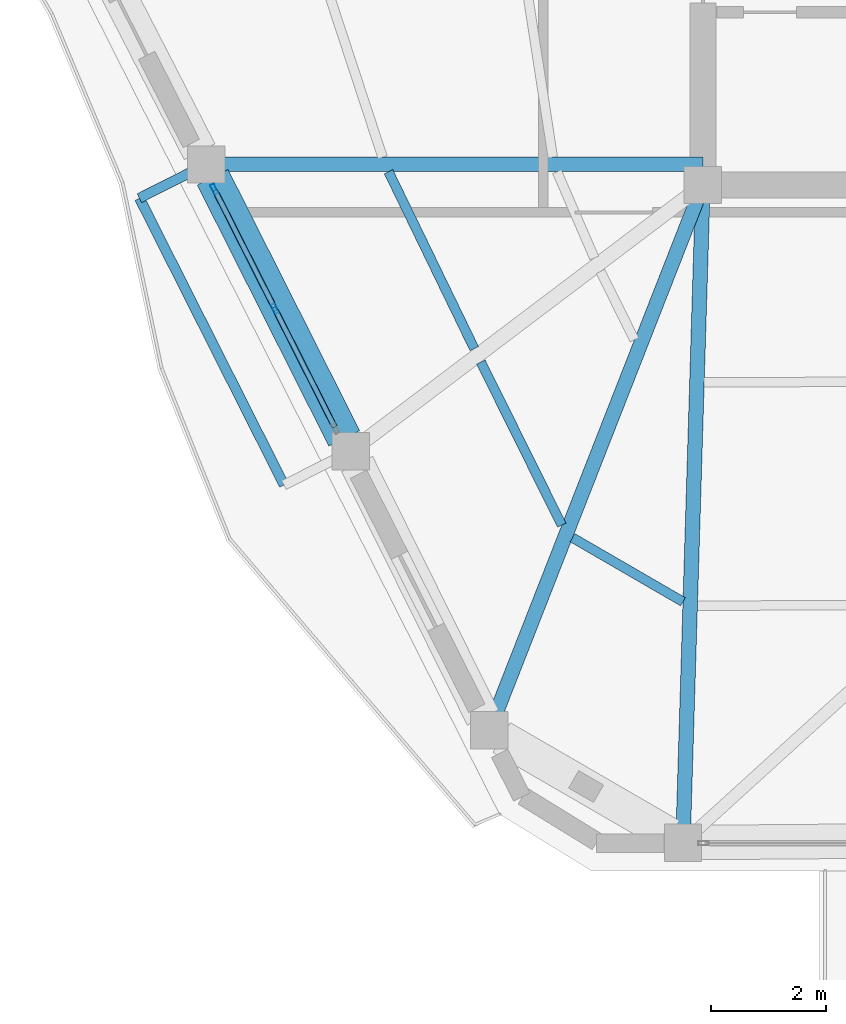
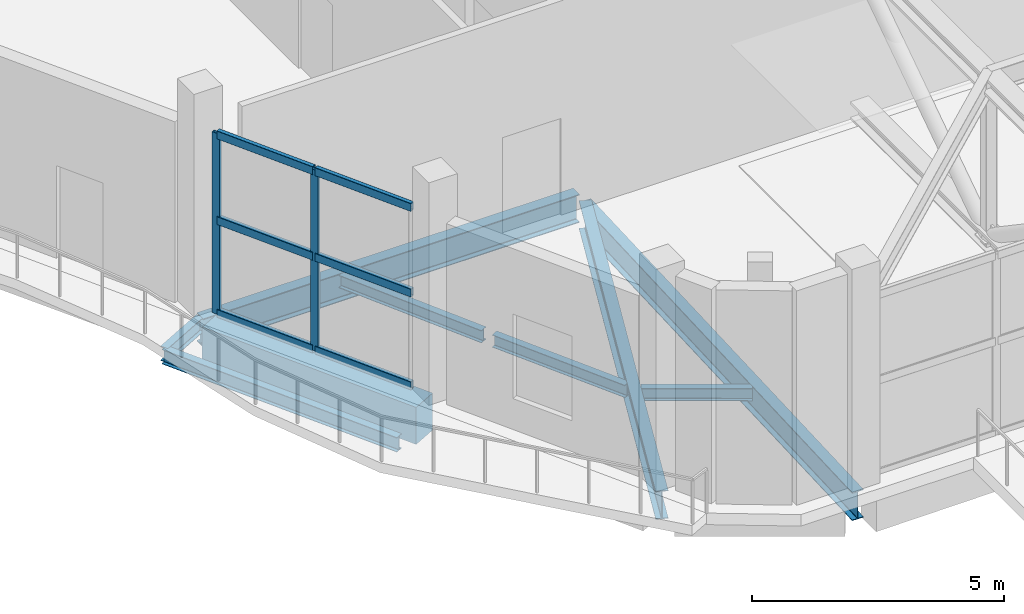
# One storey, part 3 of 23: 9 beams, 8 members, 1 element without a shape of its own.
"""IFC4 building model written with IfcOpenShell, lengths in metres."""

from ifc_helpers import new_model, si_unit, direction, frame, origin, origin_2d, place, context, subcontext, project, spatial, rectangle, hollow_rectangle, i_section, extrude, material, layer, layer_set, material_profile, profile_set, type_object, element, aggregate, save


model = new_model("IFC4")

# Units and contexts
model_context = context("Model", 3, precision=1e-05, world=origin(), true_north=direction((0.0, 1.0)))
body_context = subcontext(model_context, "Body", "Model", "MODEL_VIEW")
ifc_project = project(units=[si_unit("LENGTHUNIT", "METRE"), si_unit("AREAUNIT", "SQUARE_METRE"), si_unit("VOLUMEUNIT", "CUBIC_METRE"), si_unit("PLANEANGLEUNIT", "RADIAN"), si_unit("MASSUNIT", "GRAM", prefix="KILO")], contexts=[model_context])

# Site, building, storey
site_placement = place(None, origin())
site = spatial("IfcSite", under=ifc_project, at=site_placement, CompositionType="ELEMENT")
building_placement = place(site_placement, origin())
building = spatial("IfcBuilding", under=site, at=building_placement, Name="Cinnabar Lancet Tower", CompositionType="ELEMENT")
storey_placement = place(building_placement, frame((0.0, 0.0, 278.10009765625)))
storey = spatial("IfcBuildingStorey", under=building, at=storey_placement, Name="L74", CompositionType="ELEMENT", Elevation=278.10009765625)

# Curtain wall, members
ifc_material_1 = material(Name="Thermally broken bronze-anodized aluminium and low-E glass", Category="aluminium")
ifc_layer = layer(ifc_material_1, 0.179931640625)
ifc_layer_set = layer_set([ifc_layer], Name="Thermally broken bronze-anodized aluminium and low-E glass")
curtain_wall_type = type_object("IfcCurtainWallType", Name="ENV-CW-SYS-04", PredefinedType="NOTDEFINED", material=ifc_layer_set)
curtain_wall_placement = place(storey_placement, origin())
curtain_wall = element("IfcCurtainWall", 1, at=curtain_wall_placement, inside=storey, type_object=curtain_wall_type, Name="L74 Face 6 Feature Curtain Wall", PredefinedType="NOTDEFINED")
ifc_material_2 = material(Name="Anodized architectural aluminium 6063-T6", Category="aluminium")
ifc_material_profile_1 = material_profile(ifc_material_2, hollow_rectangle(XDim=0.074951171875, YDim=0.179931640625, WallThickness=0.00390625, InnerFilletRadius=0.001953125, OuterFilletRadius=0.006103515625, at=origin_2d()), Name="CW-MUL 180x75x4")
ifc_profile_set_1 = profile_set([ifc_material_profile_1], Name="Anodized architectural aluminium 6063-T6")
member_type_1 = type_object("IfcMemberType", Name="ENV-CW-MUL-180", PredefinedType="MULLION", material=ifc_profile_set_1)
member_1_placement = place(storey_placement, frame((14.677490234375, 18.605224609375, 0.0), z_axis=(0.0, 0.0, 1.0), x_axis=(0.892344822897, 0.451354314314, 0.0)))
member_1 = element("IfcMember", 2, at=member_1_placement, type_object=member_type_1, Name="CW-04 mullion 1", PredefinedType="MULLION", context=body_context, shape_type="SweptSolid", body=[
    extrude(hollow_rectangle(XDim=0.074951171875, YDim=0.179931640625, WallThickness=0.00390625, InnerFilletRadius=0.001953125, OuterFilletRadius=0.006103515625, at=origin_2d()), origin(), (0.0, 0.0, 1.0), 4.389892578125),
])
member_2_placement = place(storey_placement, frame((15.73095703125, 16.5224609375, 0.0), z_axis=(0.0, 0.0, 1.0), x_axis=(0.892344822897, 0.451354314314, 0.0)))
member_2 = element("IfcMember", 3, at=member_2_placement, type_object=member_type_1, Name="CW-04 mullion 2", PredefinedType="MULLION", context=body_context, shape_type="SweptSolid", body=[
    extrude(hollow_rectangle(XDim=0.074951171875, YDim=0.179931640625, WallThickness=0.00390625, InnerFilletRadius=0.001953125, OuterFilletRadius=0.006103515625, at=origin_2d()), origin(), (0.0, 0.0, 1.0), 4.389892578125),
])
ifc_material_3 = material(Name="Anodized architectural aluminium 6063-T6", Category="aluminium")
ifc_material_profile_2 = material_profile(ifc_material_3, hollow_rectangle(XDim=0.10009765625, YDim=0.199951171875, WallThickness=0.008056640625, InnerFilletRadius=0.00390625, OuterFilletRadius=0.011962890625, at=origin_2d()), Name="RHS 200x100x8")
ifc_profile_set_2 = profile_set([ifc_material_profile_2], Name="Anodized architectural aluminium 6063-T6")
member_type_2 = type_object("IfcMemberType", Name="ENV-CW-TRN-140", PredefinedType="USERDEFINED", material=ifc_profile_set_2)
member_3_placement = place(storey_placement, frame((14.691162109375, 18.578369140625, 0.02978515625), z_axis=(0.45137461896, -0.892334552373, 0.0), x_axis=(0.892334552373, 0.45137461896, 0.0)))
member_3 = element("IfcMember", 4, at=member_3_placement, type_object=member_type_2, Name="CW-04 transom 1.1", ObjectType="TRANSOM", PredefinedType="USERDEFINED", context=body_context, shape_type="SweptSolid", body=[
    extrude(hollow_rectangle(XDim=0.10009765625, YDim=0.199951171875, WallThickness=0.008056640625, InnerFilletRadius=0.00390625, OuterFilletRadius=0.011962890625, at=origin_2d()), origin(), (0.0, 0.0, 1.0), 2.27392578125),
])
member_4_placement = place(storey_placement, frame((14.691162109375, 18.578369140625, 2.282958984375), z_axis=(0.45137461896, -0.892334552373, 0.0), x_axis=(0.892334552373, 0.45137461896, 0.0)))
member_4 = element("IfcMember", 5, at=member_4_placement, type_object=member_type_2, Name="CW-04 transom 1.2", ObjectType="TRANSOM", PredefinedType="USERDEFINED", context=body_context, shape_type="SweptSolid", body=[
    extrude(hollow_rectangle(XDim=0.10009765625, YDim=0.199951171875, WallThickness=0.008056640625, InnerFilletRadius=0.00390625, OuterFilletRadius=0.011962890625, at=origin_2d()), origin(), (0.0, 0.0, 1.0), 2.27392578125),
])
member_5_placement = place(storey_placement, frame((14.691162109375, 18.578369140625, 4.35986328125), z_axis=(0.45137461896, -0.892334552373, 0.0), x_axis=(0.892334552373, 0.45137461896, 0.0)))
member_5 = element("IfcMember", 6, at=member_5_placement, type_object=member_type_2, Name="CW-04 transom 1.3", ObjectType="TRANSOM", PredefinedType="USERDEFINED", context=body_context, shape_type="SweptSolid", body=[
    extrude(hollow_rectangle(XDim=0.10009765625, YDim=0.199951171875, WallThickness=0.008056640625, InnerFilletRadius=0.00390625, OuterFilletRadius=0.011962890625, at=origin_2d()), origin(), (0.0, 0.0, 1.0), 2.27392578125),
])
member_6_placement = place(storey_placement, frame((15.74462890625, 16.495849609375, 0.02978515625), z_axis=(0.451331377237, -0.892356424262, 0.0), x_axis=(0.892356424262, 0.451331377237, 0.0)))
member_6 = element("IfcMember", 7, at=member_6_placement, type_object=member_type_2, Name="CW-04 transom 2.1", ObjectType="TRANSOM", PredefinedType="USERDEFINED", context=body_context, shape_type="SweptSolid", body=[
    extrude(hollow_rectangle(XDim=0.10009765625, YDim=0.199951171875, WallThickness=0.008056640625, InnerFilletRadius=0.00390625, OuterFilletRadius=0.011962890625, at=origin_2d()), origin(), (0.0, 0.0, 1.0), 2.274169921875),
])
member_7_placement = place(storey_placement, frame((15.74462890625, 16.495849609375, 2.282958984375), z_axis=(0.451331377237, -0.892356424262, 0.0), x_axis=(0.892356424262, 0.451331377237, 0.0)))
member_7 = element("IfcMember", 8, at=member_7_placement, type_object=member_type_2, Name="CW-04 transom 2.2", ObjectType="TRANSOM", PredefinedType="USERDEFINED", context=body_context, shape_type="SweptSolid", body=[
    extrude(hollow_rectangle(XDim=0.10009765625, YDim=0.199951171875, WallThickness=0.008056640625, InnerFilletRadius=0.00390625, OuterFilletRadius=0.011962890625, at=origin_2d()), origin(), (0.0, 0.0, 1.0), 2.274169921875),
])
member_8_placement = place(storey_placement, frame((15.74462890625, 16.495849609375, 4.35986328125), z_axis=(0.451331377237, -0.892356424262, 0.0), x_axis=(0.892356424262, 0.451331377237, 0.0)))
member_8 = element("IfcMember", 9, at=member_8_placement, type_object=member_type_2, Name="CW-04 transom 2.3", ObjectType="TRANSOM", PredefinedType="USERDEFINED", context=body_context, shape_type="SweptSolid", body=[
    extrude(hollow_rectangle(XDim=0.10009765625, YDim=0.199951171875, WallThickness=0.008056640625, InnerFilletRadius=0.00390625, OuterFilletRadius=0.011962890625, at=origin_2d()), origin(), (0.0, 0.0, 1.0), 2.274169921875),
])
aggregate(curtain_wall, [member_1, member_2, member_3, member_4, member_5, member_6, member_7, member_8])

# Beams
ifc_material_4 = material(Name="Structural steel S355", Category="steel")
ifc_material_profile_3 = material_profile(ifc_material_4, i_section(OverallWidth=0.1650390625, OverallDepth=0.303466796875, WebThickness=0.006103515625, FlangeThickness=0.01025390625, FilletRadius=0.0087890625, at=origin_2d()), Name="UKB 305x165x40")
ifc_profile_set_3 = profile_set([ifc_material_profile_3], Name="Structural steel S355")
beam_type_1 = type_object("IfcBeamType", Name="STR-BM-JST-305", PredefinedType="JOIST", material=ifc_profile_set_3)
beam_1_placement = place(storey_placement, frame((17.7080078125, 18.906005859375, -0.43212890625), z_axis=(0.436068518578, -0.899913466454, 0.0), x_axis=(0.899913466454, 0.436068518578, 0.0)))
element("IfcBeam", 10, at=beam_1_placement, inside=storey, type_object=beam_type_1, Name="L74 Secondary Floor Joist 3", PredefinedType="JOIST", context=body_context, shape_type="SweptSolid", body=[
    extrude(i_section(OverallWidth=0.1650390625, OverallDepth=0.303466796875, WebThickness=0.006103515625, FlangeThickness=0.01025390625, FilletRadius=0.0087890625, at=origin_2d()), origin(), (0.0, 0.0, 1.0), 3.419189453125),
])
beam_2_placement = place(storey_placement, frame((19.31298828125, 15.596923828125, -0.43212890625), z_axis=(0.444437083941, -0.895810068272, 0.0), x_axis=(0.895810068272, 0.444437083941, 0.0)))
element("IfcBeam", 11, at=beam_2_placement, inside=storey, type_object=beam_type_1, Name="L74 Secondary Floor Joist 5", PredefinedType="JOIST", context=body_context, shape_type="SweptSolid", body=[
    extrude(i_section(OverallWidth=0.1650390625, OverallDepth=0.303466796875, WebThickness=0.006103515625, FlangeThickness=0.01025390625, FilletRadius=0.0087890625, at=origin_2d()), origin(), (0.0, 0.0, 1.0), 3.16796875),
])
beam_3_placement = place(storey_placement, frame((20.907958984375, 12.541015625, -0.43212890625), z_axis=(0.865132391686, -0.501543562271, 0.0), x_axis=(0.501543562271, 0.865132391686, 0.0)))
element("IfcBeam", 12, at=beam_3_placement, inside=storey, type_object=beam_type_1, Name="L74 Secondary Floor Joist 7", PredefinedType="JOIST", context=body_context, shape_type="SweptSolid", body=[
    extrude(i_section(OverallWidth=0.1650390625, OverallDepth=0.303466796875, WebThickness=0.006103515625, FlangeThickness=0.01025390625, FilletRadius=0.0087890625, at=origin_2d()), origin(), (0.0, 0.0, 1.0), 2.21923828125),
])
ifc_material_5 = material(Name="Concrete C60/75", Category="concrete")
ifc_material_profile_4 = material_profile(ifc_material_5, rectangle(XDim=0.60009765625, YDim=0.89990234375, at=origin_2d()), Name="RC-SB 600x900")
ifc_profile_set_4 = profile_set([ifc_material_profile_4], Name="Concrete C60/75")
beam_type_2 = type_object("IfcBeamType", Name="STR-BM-RCSB-900", PredefinedType="SPANDREL", material=ifc_profile_set_4)
beam_4_placement = place(storey_placement, frame((14.64892578125, 18.81005859375, -0.72998046875), z_axis=(0.450130146726, -0.892962961722, 0.0), x_axis=(0.892962961722, 0.450130146726, 0.0)))
element("IfcBeam", 13, at=beam_4_placement, inside=storey, type_object=beam_type_2, Name="L74 Perimeter Spandrel 22", PredefinedType="SPANDREL", context=body_context, shape_type="SweptSolid", body=[
    extrude(rectangle(XDim=0.60009765625, YDim=0.89990234375, at=origin_2d()), origin(), (0.0, 0.0, 1.0), 5.08544921875),
])
ifc_material_6 = material(Name="Structural steel S355", Category="steel")
ifc_material_profile_5 = material_profile(ifc_material_6, i_section(OverallWidth=0.253662109375, OverallDepth=0.68359375, WebThickness=0.012451171875, FlangeThickness=0.01904296875, FilletRadius=0.01513671875, at=origin_2d()), Name="UKB 686x254x140")
ifc_profile_set_5 = profile_set([ifc_material_profile_5], Name="Structural steel S355")
beam_type_3 = type_object("IfcBeamType", Name="STR-BM-UKB686-140", PredefinedType="BEAM", material=ifc_profile_set_5)
beam_5_placement = place(storey_placement, frame((22.827880859375, 7.239013671875, -0.6220703125), z_axis=(0.030343393029, 0.999539533235, 0.0), x_axis=(-0.999539533235, 0.030343393029, 0.0)))
element("IfcBeam", 14, at=beam_5_placement, inside=storey, type_object=beam_type_3, Name="L74 Primary Floor Girder 1", PredefinedType="BEAM", context=body_context, shape_type="SweptSolid", body=[
    extrude(i_section(OverallWidth=0.253662109375, OverallDepth=0.68359375, WebThickness=0.012451171875, FlangeThickness=0.01904296875, FilletRadius=0.01513671875, at=origin_2d()), origin(), (0.0, 0.0, 1.0), 11.44140625),
])
beam_6_placement = place(storey_placement, frame((14.535888671875, 19.032958984375, -0.6220703125), z_axis=(1.0, 0.0, 0.0), x_axis=(0.0, 1.0, 0.0)))
element("IfcBeam", 15, at=beam_6_placement, inside=storey, type_object=beam_type_3, Name="L74 Primary Floor Girder 22", PredefinedType="BEAM", context=body_context, shape_type="SweptSolid", body=[
    extrude(i_section(OverallWidth=0.253662109375, OverallDepth=0.68359375, WebThickness=0.012451171875, FlangeThickness=0.01904296875, FilletRadius=0.01513671875, at=origin_2d()), origin(), (0.0, 0.0, 1.0), 8.63916015625),
])
beam_7_placement = place(storey_placement, frame((19.458984375, 9.19091796875, -0.6220703125), z_axis=(0.364815017375, 0.931080019707, 0.0), x_axis=(-0.931080019707, 0.364815017375, 0.0)))
element("IfcBeam", 16, at=beam_7_placement, inside=storey, type_object=beam_type_3, Name="L74 Primary Floor Girder 24", PredefinedType="BEAM", context=body_context, shape_type="SweptSolid", body=[
    extrude(i_section(OverallWidth=0.253662109375, OverallDepth=0.68359375, WebThickness=0.012451171875, FlangeThickness=0.01904296875, FilletRadius=0.01513671875, at=origin_2d()), origin(), (0.0, 0.0, 1.0), 10.186279296875),
])
ifc_material_7 = material(Name="Structural steel S355", Category="steel")
ifc_material_profile_6 = material_profile(ifc_material_7, i_section(OverallWidth=0.17138671875, OverallDepth=0.35498046875, WebThickness=0.00732421875, FlangeThickness=0.011474609375, FilletRadius=0.01025390625, at=origin_2d()), Name="UKB 356x171x51")
ifc_profile_set_6 = profile_set([ifc_material_profile_6], Name="Structural steel S355")
beam_type_4 = type_object("IfcBeamType", Name="STR-BM-WAV-OUT", PredefinedType="BEAM", material=ifc_profile_set_6)
beam_8_placement = place(storey_placement, frame((14.535888671875, 19.032958984375, -0.4580078125), z_axis=(-0.89227592947, -0.451490493464, 0.0), x_axis=(0.451490493464, -0.89227592947, 0.0)))
element("IfcBeam", 17, at=beam_8_placement, inside=storey, type_object=beam_type_4, Name="L74 Face 6 Balcony Outlooker A", PredefinedType="BEAM", context=body_context, shape_type="SweptSolid", body=[
    extrude(i_section(OverallWidth=0.17138671875, OverallDepth=0.35498046875, WebThickness=0.00732421875, FlangeThickness=0.011474609375, FilletRadius=0.01025390625, at=origin_2d()), origin(), (0.0, 0.0, 1.0), 1.300048828125),
])
ifc_material_8 = material(Name="Structural steel S355", Category="steel")
ifc_material_profile_7 = material_profile(ifc_material_8, i_section(OverallWidth=0.17138671875, OverallDepth=0.35498046875, WebThickness=0.00732421875, FlangeThickness=0.011474609375, FilletRadius=0.01025390625, at=origin_2d()), Name="UKB 356x171x51")
ifc_profile_set_7 = profile_set([ifc_material_profile_7], Name="Structural steel S355")
beam_type_5 = type_object("IfcBeamType", Name="STR-BM-WAV-TRIM", PredefinedType="SPANDREL", material=ifc_profile_set_7)
beam_9_placement = place(storey_placement, frame((13.3759765625, 18.446044921875, -0.4580078125), z_axis=(0.450305622338, -0.892874485295, 0.0), x_axis=(0.892874485295, 0.450305622338, 0.0)))
element("IfcBeam", 18, at=beam_9_placement, inside=storey, type_object=beam_type_5, Name="L74 Face 6 Balcony Edge Trimmer", PredefinedType="SPANDREL", context=body_context, shape_type="SweptSolid", body=[
    extrude(i_section(OverallWidth=0.17138671875, OverallDepth=0.35498046875, WebThickness=0.00732421875, FlangeThickness=0.011474609375, FilletRadius=0.01025390625, at=origin_2d()), origin(), (0.0, 0.0, 1.0), 5.58544921875),
])

save(model, "model.ifc")
